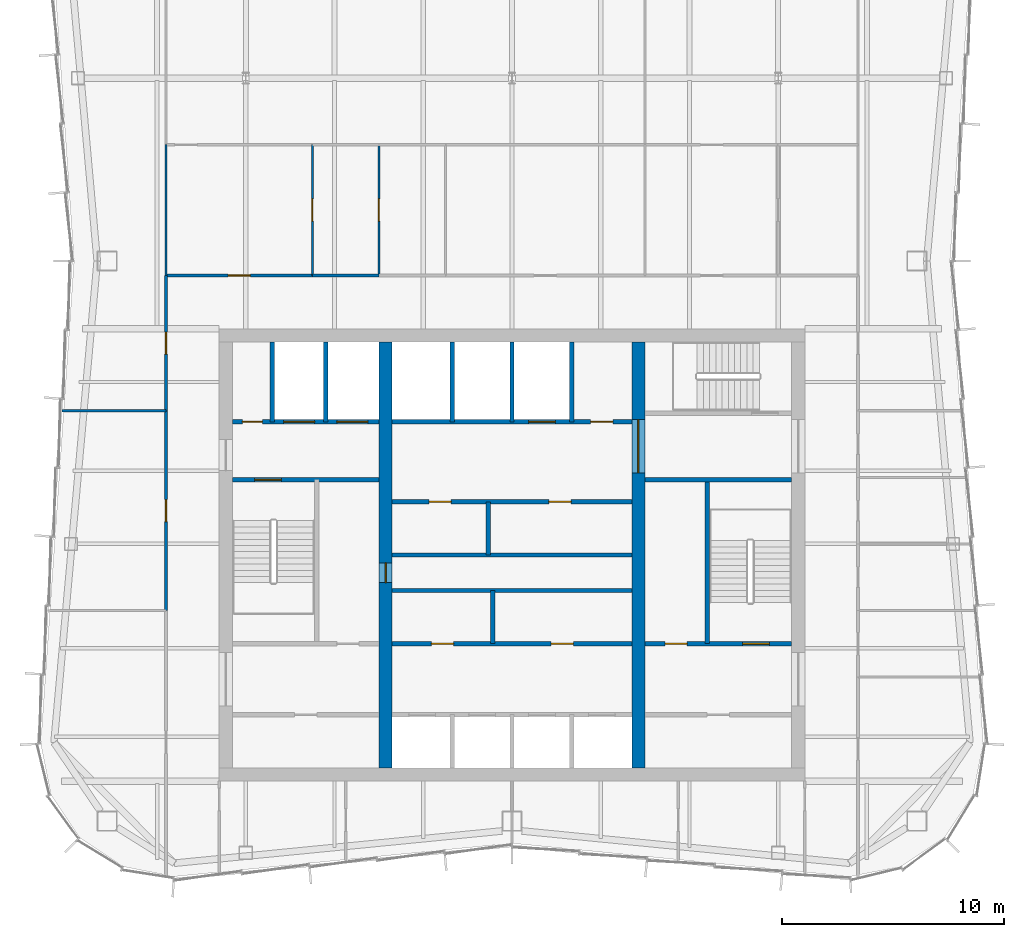
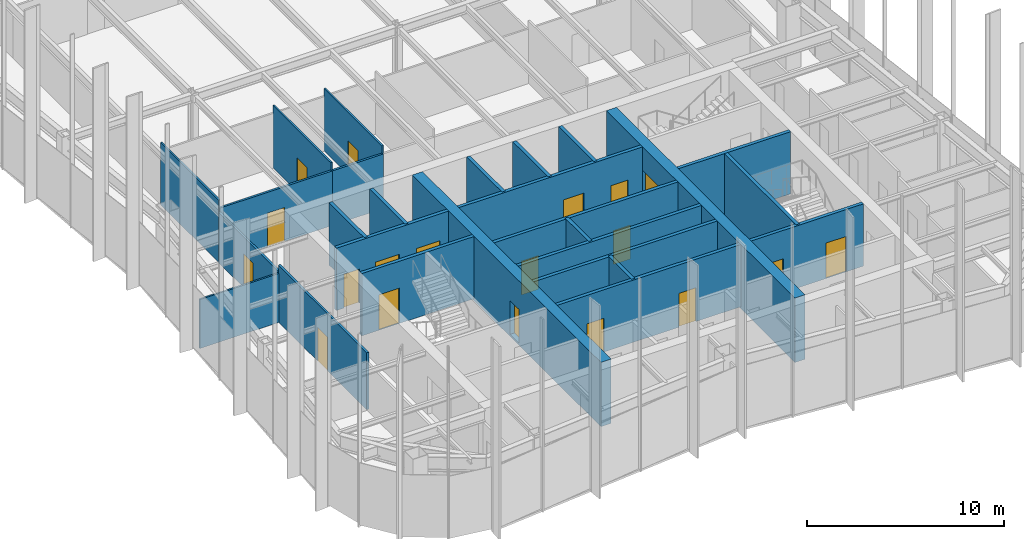
# One storey, part 10 of 13: 27 walls, 19 doors, 19 openings.
"""IFC4 building model written with IfcOpenShell, lengths in metres."""

from ifc_helpers import new_model, si_unit, direction, frame, frame_2d, origin, place, context, subcontext, project, spatial, rectangle, extrude, material, layer, layer_set, type_object, element, fill, save


model = new_model("IFC4")

# Units and contexts
model_context = context("Model", 3, precision=1e-05, world=origin(), true_north=direction((0.0, 1.0)))
body_context = subcontext(model_context, "Body", "Model", "MODEL_VIEW")
ifc_project = project(units=[si_unit("LENGTHUNIT", "METRE"), si_unit("AREAUNIT", "SQUARE_METRE"), si_unit("VOLUMEUNIT", "CUBIC_METRE"), si_unit("PLANEANGLEUNIT", "RADIAN"), si_unit("MASSUNIT", "GRAM", prefix="KILO")], contexts=[model_context])

# Site, building, storey
site_placement = place(None, origin())
site = spatial("IfcSite", under=ifc_project, at=site_placement, CompositionType="ELEMENT")
building_placement = place(site_placement, origin())
building = spatial("IfcBuilding", under=site, at=building_placement, Name="Verdant Reach Tower", CompositionType="ELEMENT")
storey_placement = place(building_placement, frame((0.0, 0.0, 306.0)))
storey = spatial("IfcBuildingStorey", under=building, at=storey_placement, Name="L70", CompositionType="ELEMENT", Elevation=306.0)

# Wall, openings, doors
ifc_material_1 = material(Name="Gypsum board on steel studs", Category="steel")
ifc_layer_1 = layer(ifc_material_1, 0.199951171875)
ifc_layer_set_1 = layer_set([ifc_layer_1], Name="CO-WALL-ROOM")
wall_type_1 = type_object("IfcWallType", Name="CO-WALL-ROOM", PredefinedType="PARTITIONING", material=ifc_layer_set_1)
wall_1_placement = place(storey_placement, frame((-5.39990234375, 24.0, 0.0), z_axis=(0.0, 0.0, 1.0), x_axis=(1.0, 0.0, 0.0)))
wall_1 = element("IfcWall", 1, at=wall_1_placement, inside=storey, type_object=wall_type_1, Name="Core partition, L70", PredefinedType="PARTITIONING", context=body_context, shape_type="SweptSolid", body=[
    extrude(rectangle(XDim=10.7998046875, YDim=0.199951171875, at=frame_2d((5.39990234375, 0.0))), origin(), (0.0, 0.0, 1.0), 3.8701171875),
])
opening_1_placement = place(wall_1_placement, frame((1.76806640625, 0.0, 0.0)))
opening_1 = element("IfcOpeningElement", 2, at=opening_1_placement, cuts=wall_1, Name="Opening CD", PredefinedType="OPENING", context=body_context, shape_type="SweptSolid", body=[
    extrude(rectangle(XDim=1.0, YDim=2.10009765625, at=frame_2d((0.5, 1.050048828125))), frame((0.0, 0.10986328125, 0.0), z_axis=(0.0, -1.0, 0.0), x_axis=(1.0, 0.0, 0.0)), (0.0, 0.0, 1.0), 0.219970703125),
])
opening_2_placement = place(wall_1_placement, frame((7.16796875, 0.0, 0.0)))
opening_2 = element("IfcOpeningElement", 3, at=opening_2_placement, cuts=wall_1, Name="Opening CD", PredefinedType="OPENING", context=body_context, shape_type="SweptSolid", body=[
    extrude(rectangle(XDim=1.0, YDim=2.10009765625, at=frame_2d((0.5, 1.050048828125))), frame((0.0, 0.10986328125, 0.0), z_axis=(0.0, -1.0, 0.0), x_axis=(1.0, 0.0, 0.0)), (0.0, 0.0, 1.0), 0.219970703125),
])
ifc_material_2 = material(Name="Timber", Category="wood")
door_type_1 = type_object("IfcDoorType", Name="CO-DOOR-ROOM", OperationType="NOTDEFINED", PredefinedType="DOOR", material=ifc_material_2)
door_1_placement = place(opening_1_placement, origin())
door_1 = element("IfcDoor", 4, at=door_1_placement, inside=storey, type_object=door_type_1, Name="Core room door, L70", OperationType="SINGLE_SWING_LEFT", OverallHeight=2.10009765625, OverallWidth=1.0, PredefinedType="DOOR", context=body_context, shape_type="SweptSolid", body=[
    extrude(rectangle(XDim=1.0, YDim=2.10009765625, at=frame_2d((0.5, 1.050048828125))), frame((0.0, 0.02490234375, 0.0), z_axis=(0.0, -1.0, 0.0), x_axis=(1.0, 0.0, 0.0)), (0.0, 0.0, 1.0), 0.050048828125),
])
fill(opening_1, door_1)
door_2_placement = place(opening_2_placement, origin())
door_2 = element("IfcDoor", 5, at=door_2_placement, inside=storey, type_object=door_type_1, Name="Core room door, L70", OperationType="SINGLE_SWING_RIGHT", OverallHeight=2.10009765625, OverallWidth=1.0, PredefinedType="DOOR", context=body_context, shape_type="SweptSolid", body=[
    extrude(rectangle(XDim=1.0, YDim=2.10009765625, at=frame_2d((0.5, 1.050048828125))), frame((0.0, 0.02490234375, 0.0), z_axis=(0.0, -1.0, 0.0), x_axis=(1.0, 0.0, 0.0)), (0.0, 0.0, 1.0), 0.050048828125),
])
fill(opening_2, door_2)

# Walls
for number, where, z_axis, x_axis, name in (
    (6, (-5.39990234375, 26.39990234375, 0.0), (0.0, 0.0, 1.0), (1.0, 0.0, 0.0), "Core partition, L70"),
    (7, (-5.39990234375, 28.0, 0.0), (0.0, 0.0, 1.0), (1.0, 0.0, 0.0), "Core partition, L70"),
):
    element("IfcWall", number, at=place(storey_placement, frame(where, z_axis=z_axis, x_axis=x_axis)), inside=storey, type_object=wall_type_1, Name=name, PredefinedType="PARTITIONING", context=body_context, shape_type="SweptSolid", body=[
        extrude(rectangle(XDim=10.7998046875, YDim=0.199951171875, at=frame_2d((5.39990234375, 0.0))), origin(), (0.0, 0.0, 1.0), 3.8701171875),
    ])

# Wall, openings, doors
wall_2_placement = place(storey_placement, frame((-5.39990234375, 30.39990234375, 0.0), z_axis=(0.0, 0.0, 1.0), x_axis=(1.0, 0.0, 0.0)))
wall_2 = element("IfcWall", 8, at=wall_2_placement, inside=storey, type_object=wall_type_1, Name="Core partition, L70", PredefinedType="PARTITIONING", context=body_context, shape_type="SweptSolid", body=[
    extrude(rectangle(XDim=10.7998046875, YDim=0.199951171875, at=frame_2d((5.39990234375, 0.0))), origin(), (0.0, 0.0, 1.0), 3.8701171875),
])
opening_3_placement = place(wall_2_placement, frame((1.659912109375, 0.0, 0.0)))
opening_3 = element("IfcOpeningElement", 9, at=opening_3_placement, cuts=wall_2, Name="Opening CD", PredefinedType="OPENING", context=body_context, shape_type="SweptSolid", body=[
    extrude(rectangle(XDim=1.0, YDim=2.10009765625, at=frame_2d((0.5, 1.050048828125))), frame((0.0, 0.10986328125, 0.0), z_axis=(0.0, -1.0, 0.0), x_axis=(1.0, 0.0, 0.0)), (0.0, 0.0, 1.0), 0.219970703125),
])
opening_4_placement = place(wall_2_placement, frame((7.06005859375, 0.0, 0.0)))
opening_4 = element("IfcOpeningElement", 10, at=opening_4_placement, cuts=wall_2, Name="Opening CD", PredefinedType="OPENING", context=body_context, shape_type="SweptSolid", body=[
    extrude(rectangle(XDim=1.0, YDim=2.10009765625, at=frame_2d((0.5, 1.050048828125))), frame((0.0, 0.10986328125, 0.0), z_axis=(0.0, -1.0, 0.0), x_axis=(1.0, 0.0, 0.0)), (0.0, 0.0, 1.0), 0.219970703125),
])
door_3_placement = place(opening_3_placement, origin())
door_3 = element("IfcDoor", 11, at=door_3_placement, inside=storey, type_object=door_type_1, Name="Core room door, L70", OperationType="SINGLE_SWING_RIGHT", OverallHeight=2.10009765625, OverallWidth=1.0, PredefinedType="DOOR", context=body_context, shape_type="SweptSolid", body=[
    extrude(rectangle(XDim=1.0, YDim=2.10009765625, at=frame_2d((0.5, 1.050048828125))), frame((0.0, 0.02490234375, 0.0), z_axis=(0.0, -1.0, 0.0), x_axis=(1.0, 0.0, 0.0)), (0.0, 0.0, 1.0), 0.050048828125),
])
fill(opening_3, door_3)
door_4_placement = place(opening_4_placement, origin())
door_4 = element("IfcDoor", 12, at=door_4_placement, inside=storey, type_object=door_type_1, Name="Core room door, L70", OperationType="SINGLE_SWING_LEFT", OverallHeight=2.10009765625, OverallWidth=1.0, PredefinedType="DOOR", context=body_context, shape_type="SweptSolid", body=[
    extrude(rectangle(XDim=1.0, YDim=2.10009765625, at=frame_2d((0.5, 1.050048828125))), frame((0.0, 0.02490234375, 0.0), z_axis=(0.0, -1.0, 0.0), x_axis=(1.0, 0.0, 0.0)), (0.0, 0.0, 1.0), 0.050048828125),
])
fill(opening_4, door_4)

# Walls
for number, where, z_axis, x_axis, name in (
    (13, (-1.080078125, 28.0, 0.0), (0.0, 0.0, 1.0), (0.0, 1.0, 0.0), "Core partition, L70"),
    (14, (-0.864013671875, 24.0, 0.0), (0.0, 0.0, 1.0), (0.0, 1.0, 0.0), "Core partition, L70"),
):
    element("IfcWall", number, at=place(storey_placement, frame(where, z_axis=z_axis, x_axis=x_axis)), inside=storey, type_object=wall_type_1, Name=name, PredefinedType="PARTITIONING", context=body_context, shape_type="SweptSolid", body=[
        extrude(rectangle(XDim=2.39990234375, YDim=0.199951171875, at=frame_2d((1.199951171875, 0.0))), origin(), (0.0, 0.0, 1.0), 3.8701171875),
    ])

# Wall, openings, doors
ifc_material_3 = material(Name="Concrete C40/50", Category="concrete")
ifc_layer_2 = layer(ifc_material_3, 0.199951171875)
ifc_layer_set_2 = layer_set([ifc_layer_2], Name="CO-WALL-SHAFT")
wall_type_2 = type_object("IfcWallType", Name="CO-WALL-SHAFT", PredefinedType="PARTITIONING", material=ifc_layer_set_2)
wall_3_placement = place(storey_placement, frame((-12.60009765625, 34.0, 0.0), z_axis=(0.0, 0.0, 1.0), x_axis=(1.0, 0.0, 0.0)))
wall_3 = element("IfcWall", 15, at=wall_3_placement, inside=storey, type_object=wall_type_2, Name="Lift shaft wall, L70", PredefinedType="PARTITIONING", context=body_context, shape_type="SweptSolid", body=[
    extrude(rectangle(XDim=6.60009765625, YDim=0.199951171875, at=frame_2d((3.300048828125, 0.0))), origin(), (0.0, 0.0, 1.0), 3.8701171875),
])
opening_5_placement = place(wall_3_placement, frame((4.699951171875, 0.0, 0.0)))
opening_5 = element("IfcOpeningElement", 16, at=opening_5_placement, cuts=wall_3, Name="Opening LD-F1", PredefinedType="OPENING", context=body_context, shape_type="SweptSolid", body=[
    extrude(rectangle(XDim=1.39990234375, YDim=2.199951171875, at=frame_2d((0.699951171875, 1.10009765625))), frame((0.0, 0.10986328125, 0.0), z_axis=(0.0, -1.0, 0.0), x_axis=(1.0, 0.0, 0.0)), (0.0, 0.0, 1.0), 0.219970703125),
])
opening_6_placement = place(wall_3_placement, frame((2.300048828125, 0.0, 0.0)))
opening_6 = element("IfcOpeningElement", 17, at=opening_6_placement, cuts=wall_3, Name="Opening LD-F2", PredefinedType="OPENING", context=body_context, shape_type="SweptSolid", body=[
    extrude(rectangle(XDim=1.39990234375, YDim=2.199951171875, at=frame_2d((0.699951171875, 1.10009765625))), frame((0.0, 0.10986328125, 0.0), z_axis=(0.0, -1.0, 0.0), x_axis=(1.0, 0.0, 0.0)), (0.0, 0.0, 1.0), 0.219970703125),
])
opening_7_placement = place(wall_3_placement, frame((0.449951171875, 0.0, 0.0)))
opening_7 = element("IfcOpeningElement", 18, at=opening_7_placement, cuts=wall_3, Name="Opening RD", PredefinedType="OPENING", context=body_context, shape_type="SweptSolid", body=[
    extrude(rectangle(XDim=0.89990234375, YDim=2.10009765625, at=frame_2d((0.449951171875, 1.050048828125))), frame((0.0, 0.10986328125, 0.0), z_axis=(0.0, -1.0, 0.0), x_axis=(1.0, 0.0, 0.0)), (0.0, 0.0, 1.0), 0.219970703125),
])
ifc_material_4 = material(Name="Stainless steel", Category="steel")
door_type_2 = type_object("IfcDoorType", Name="CO-DOOR-LANDING-FF", OperationType="SLIDING_TO_LEFT", PredefinedType="DOOR", material=ifc_material_4)
door_5_placement = place(opening_5_placement, origin())
door_5 = element("IfcDoor", 19, at=door_5_placement, inside=storey, type_object=door_type_2, Name="Landing door F1, L70", OperationType="SLIDING_TO_LEFT", OverallHeight=2.199951171875, OverallWidth=1.39990234375, PredefinedType="DOOR", context=body_context, shape_type="SweptSolid", body=[
    extrude(rectangle(XDim=1.39990234375, YDim=2.199951171875, at=frame_2d((0.699951171875, 1.10009765625))), frame((0.0, 0.02490234375, 0.0), z_axis=(0.0, -1.0, 0.0), x_axis=(1.0, 0.0, 0.0)), (0.0, 0.0, 1.0), 0.050048828125),
])
fill(opening_5, door_5)
door_6_placement = place(opening_6_placement, origin())
door_6 = element("IfcDoor", 20, at=door_6_placement, inside=storey, type_object=door_type_2, Name="Landing door F2, L70", OperationType="SLIDING_TO_LEFT", OverallHeight=2.199951171875, OverallWidth=1.39990234375, PredefinedType="DOOR", context=body_context, shape_type="SweptSolid", body=[
    extrude(rectangle(XDim=1.39990234375, YDim=2.199951171875, at=frame_2d((0.699951171875, 1.10009765625))), frame((0.0, 0.02490234375, 0.0), z_axis=(0.0, -1.0, 0.0), x_axis=(1.0, 0.0, 0.0)), (0.0, 0.0, 1.0), 0.050048828125),
])
fill(opening_6, door_6)
ifc_material_5 = material(Name="Steel", Category="steel")
door_type_3 = type_object("IfcDoorType", Name="CO-DOOR-RISER", OperationType="NOTDEFINED", PredefinedType="DOOR", material=ifc_material_5)
door_7_placement = place(opening_7_placement, origin())
door_7 = element("IfcDoor", 21, at=door_7_placement, inside=storey, type_object=door_type_3, Name="Core room door, L70", OperationType="SINGLE_SWING_RIGHT", OverallHeight=2.10009765625, OverallWidth=0.89990234375, PredefinedType="DOOR", context=body_context, shape_type="SweptSolid", body=[
    extrude(rectangle(XDim=0.89990234375, YDim=2.10009765625, at=frame_2d((0.449951171875, 1.050048828125))), frame((0.0, 0.02490234375, 0.0), z_axis=(0.0, -1.0, 0.0), x_axis=(1.0, 0.0, 0.0)), (0.0, 0.0, 1.0), 0.050048828125),
])
fill(opening_7, door_7)

wall_4_placement = place(storey_placement, frame((-5.39990234375, 34.0, 0.0), z_axis=(0.0, 0.0, 1.0), x_axis=(1.0, 0.0, 0.0)))
wall_4 = element("IfcWall", 22, at=wall_4_placement, inside=storey, type_object=wall_type_2, Name="Lift shaft wall, L70", PredefinedType="PARTITIONING", context=body_context, shape_type="SweptSolid", body=[
    extrude(rectangle(XDim=10.7998046875, YDim=0.199951171875, at=frame_2d((5.39990234375, 0.0))), origin(), (0.0, 0.0, 1.0), 3.8701171875),
])
opening_8_placement = place(wall_4_placement, frame((6.14990234375, 0.0, 0.0)))
opening_8 = element("IfcOpeningElement", 23, at=opening_8_placement, cuts=wall_4, Name="Opening LD-SL1", PredefinedType="OPENING", context=body_context, shape_type="SweptSolid", body=[
    extrude(rectangle(XDim=1.199951171875, YDim=2.199951171875, at=frame_2d((0.60009765625, 1.10009765625))), frame((0.0, 0.10986328125, 0.0), z_axis=(0.0, -1.0, 0.0), x_axis=(1.0, 0.0, 0.0)), (0.0, 0.0, 1.0), 0.219970703125),
])
opening_9_placement = place(wall_4_placement, frame((8.949951171875, 0.0, 0.0)))
opening_9 = element("IfcOpeningElement", 24, at=opening_9_placement, cuts=wall_4, Name="Opening CD", PredefinedType="OPENING", context=body_context, shape_type="SweptSolid", body=[
    extrude(rectangle(XDim=1.0, YDim=2.10009765625, at=frame_2d((0.5, 1.050048828125))), frame((0.0, 0.10986328125, 0.0), z_axis=(0.0, -1.0, 0.0), x_axis=(1.0, 0.0, 0.0)), (0.0, 0.0, 1.0), 0.219970703125),
])
door_type_4 = type_object("IfcDoorType", Name="CO-DOOR-LANDING", OperationType="SLIDING_TO_LEFT", PredefinedType="DOOR", material=ifc_material_4)
door_8_placement = place(opening_8_placement, origin())
door_8 = element("IfcDoor", 25, at=door_8_placement, inside=storey, type_object=door_type_4, Name="Landing door SL1, L70", OperationType="SLIDING_TO_LEFT", OverallHeight=2.199951171875, OverallWidth=1.199951171875, PredefinedType="DOOR", context=body_context, shape_type="SweptSolid", body=[
    extrude(rectangle(XDim=1.199951171875, YDim=2.199951171875, at=frame_2d((0.60009765625, 1.10009765625))), frame((0.0, 0.02490234375, 0.0), z_axis=(0.0, -1.0, 0.0), x_axis=(1.0, 0.0, 0.0)), (0.0, 0.0, 1.0), 0.050048828125),
])
fill(opening_8, door_8)
door_9_placement = place(opening_9_placement, origin())
door_9 = element("IfcDoor", 26, at=door_9_placement, inside=storey, type_object=door_type_1, Name="Core room door, L70", OperationType="SINGLE_SWING_LEFT", OverallHeight=2.10009765625, OverallWidth=1.0, PredefinedType="DOOR", context=body_context, shape_type="SweptSolid", body=[
    extrude(rectangle(XDim=1.0, YDim=2.10009765625, at=frame_2d((0.5, 1.050048828125))), frame((0.0, 0.02490234375, 0.0), z_axis=(0.0, -1.0, 0.0), x_axis=(1.0, 0.0, 0.0)), (0.0, 0.0, 1.0), 0.050048828125),
])
fill(opening_9, door_9)

# Walls
for number, where, z_axis, x_axis, name in (
    (27, (-10.800048828125, 34.0, 0.0), (0.0, 0.0, 1.0), (0.0, 1.0, 0.0), "Lift shaft wall, L70"),
    (28, (-8.39990234375, 34.0, 0.0), (0.0, 0.0, 1.0), (0.0, 1.0, 0.0), "Lift shaft wall, L70"),
    (29, (-2.699951171875, 34.0, 0.0), (0.0, 0.0, 1.0), (0.0, 1.0, 0.0), "Lift shaft wall, L70"),
    (30, (0.0, 34.0, 0.0), (0.0, 0.0, 1.0), (0.0, 1.0, 0.0), "Lift shaft wall, L70"),
    (31, (2.699951171875, 34.0, 0.0), (0.0, 0.0, 1.0), (0.0, 1.0, 0.0), "Lift shaft wall, L70"),
):
    element("IfcWall", number, at=place(storey_placement, frame(where, z_axis=z_axis, x_axis=x_axis)), inside=storey, type_object=wall_type_2, Name=name, PredefinedType="PARTITIONING", context=body_context, shape_type="SweptSolid", body=[
        extrude(rectangle(XDim=3.60009765625, YDim=0.199951171875, at=frame_2d((1.800048828125, 0.0))), origin(), (0.0, 0.0, 1.0), 3.8701171875),
    ])

# Wall, openings, doors
ifc_layer_3 = layer(ifc_material_3, 0.199951171875)
ifc_layer_set_3 = layer_set([ifc_layer_3], Name="CO-WALL-STAIR")
wall_type_3 = type_object("IfcWallType", Name="CO-WALL-STAIR", PredefinedType="PARTITIONING", material=ifc_layer_set_3)
wall_5_placement = place(storey_placement, frame((6.0, 24.0, 0.0), z_axis=(0.0, 0.0, 1.0), x_axis=(1.0, 0.0, 0.0)))
wall_5 = element("IfcWall", 32, at=wall_5_placement, inside=storey, type_object=wall_type_3, Name="Stair enclosure wall, L70", PredefinedType="PARTITIONING", context=body_context, shape_type="SweptSolid", body=[
    extrude(rectangle(XDim=6.60009765625, YDim=0.199951171875, at=frame_2d((3.300048828125, 0.0))), origin(), (0.0, 0.0, 1.0), 3.8701171875),
])
opening_10_placement = place(wall_5_placement, frame((0.89990234375, 0.0, 0.0)))
opening_10 = element("IfcOpeningElement", 33, at=opening_10_placement, cuts=wall_5, Name="Opening CD", PredefinedType="OPENING", context=body_context, shape_type="SweptSolid", body=[
    extrude(rectangle(XDim=1.0, YDim=2.10009765625, at=frame_2d((0.5, 1.050048828125))), frame((0.0, 0.10986328125, 0.0), z_axis=(0.0, -1.0, 0.0), x_axis=(1.0, 0.0, 0.0)), (0.0, 0.0, 1.0), 0.219970703125),
])
opening_11_placement = place(wall_5_placement, frame((4.39990234375, 0.0, 0.0)))
opening_11 = element("IfcOpeningElement", 34, at=opening_11_placement, cuts=wall_5, Name="Opening SD", PredefinedType="OPENING", context=body_context, shape_type="SweptSolid", body=[
    extrude(rectangle(XDim=1.199951171875, YDim=2.199951171875, at=frame_2d((0.60009765625, 1.10009765625))), frame((0.0, 0.10986328125, 0.0), z_axis=(0.0, -1.0, 0.0), x_axis=(1.0, 0.0, 0.0)), (0.0, 0.0, 1.0), 0.219970703125),
])
door_10_placement = place(opening_10_placement, origin())
door_10 = element("IfcDoor", 35, at=door_10_placement, inside=storey, type_object=door_type_1, Name="Core room door, L70", OperationType="SINGLE_SWING_LEFT", OverallHeight=2.10009765625, OverallWidth=1.0, PredefinedType="DOOR", context=body_context, shape_type="SweptSolid", body=[
    extrude(rectangle(XDim=1.0, YDim=2.10009765625, at=frame_2d((0.5, 1.050048828125))), frame((0.0, 0.02490234375, 0.0), z_axis=(0.0, -1.0, 0.0), x_axis=(1.0, 0.0, 0.0)), (0.0, 0.0, 1.0), 0.050048828125),
])
fill(opening_10, door_10)
door_type_5 = type_object("IfcDoorType", Name="CO-DOOR-STAIR", OperationType="NOTDEFINED", PredefinedType="DOOR", material=ifc_material_5)
door_11_placement = place(opening_11_placement, origin())
door_11 = element("IfcDoor", 36, at=door_11_placement, inside=storey, type_object=door_type_5, Name="Stair door, L70", OperationType="SINGLE_SWING_LEFT", OverallHeight=2.199951171875, OverallWidth=1.199951171875, PredefinedType="DOOR", context=body_context, shape_type="SweptSolid", body=[
    extrude(rectangle(XDim=1.199951171875, YDim=2.199951171875, at=frame_2d((0.60009765625, 1.10009765625))), frame((0.0, 0.02490234375, 0.0), z_axis=(0.0, -1.0, 0.0), x_axis=(1.0, 0.0, 0.0)), (0.0, 0.0, 1.0), 0.050048828125),
])
fill(opening_11, door_11)

# Wall, opening, door
wall_6_placement = place(storey_placement, frame((-12.60009765625, 31.39990234375, 0.0), z_axis=(0.0, 0.0, 1.0), x_axis=(1.0, 0.0, 0.0)))
wall_6 = element("IfcWall", 37, at=wall_6_placement, inside=storey, type_object=wall_type_3, Name="Stair enclosure wall, L70", PredefinedType="PARTITIONING", context=body_context, shape_type="SweptSolid", body=[
    extrude(rectangle(XDim=6.60009765625, YDim=0.199951171875, at=frame_2d((3.300048828125, 0.0))), origin(), (0.0, 0.0, 1.0), 3.8701171875),
])
opening_12_placement = place(wall_6_placement, frame((1.0, 0.0, 0.0)))
opening_12 = element("IfcOpeningElement", 38, at=opening_12_placement, cuts=wall_6, Name="Opening SD", PredefinedType="OPENING", context=body_context, shape_type="SweptSolid", body=[
    extrude(rectangle(XDim=1.199951171875, YDim=2.199951171875, at=frame_2d((0.60009765625, 1.10009765625))), frame((0.0, 0.10986328125, 0.0), z_axis=(0.0, -1.0, 0.0), x_axis=(1.0, 0.0, 0.0)), (0.0, 0.0, 1.0), 0.219970703125),
])
door_12_placement = place(opening_12_placement, origin())
door_12 = element("IfcDoor", 39, at=door_12_placement, inside=storey, type_object=door_type_5, Name="Stair door, L70", OperationType="SINGLE_SWING_RIGHT", OverallHeight=2.199951171875, OverallWidth=1.199951171875, PredefinedType="DOOR", context=body_context, shape_type="SweptSolid", body=[
    extrude(rectangle(XDim=1.199951171875, YDim=2.199951171875, at=frame_2d((0.60009765625, 1.10009765625))), frame((0.0, 0.02490234375, 0.0), z_axis=(0.0, -1.0, 0.0), x_axis=(1.0, 0.0, 0.0)), (0.0, 0.0, 1.0), 0.050048828125),
])
fill(opening_12, door_12)

# Walls
wall_7_placement = place(storey_placement, frame((6.0, 31.39990234375, 0.0), z_axis=(0.0, 0.0, 1.0), x_axis=(1.0, 0.0, 0.0)))
element("IfcWall", 40, at=wall_7_placement, inside=storey, type_object=wall_type_3, Name="Stair enclosure wall, L70", PredefinedType="PARTITIONING", context=body_context, shape_type="SweptSolid", body=[
    extrude(rectangle(XDim=6.60009765625, YDim=0.199951171875, at=frame_2d((3.300048828125, 0.0))), origin(), (0.0, 0.0, 1.0), 3.8701171875),
])
wall_8_placement = place(storey_placement, frame((8.800048828125, 24.0, 0.0), z_axis=(0.0, 0.0, 1.0), x_axis=(0.0, 1.0, 0.0)))
element("IfcWall", 41, at=wall_8_placement, inside=storey, type_object=wall_type_3, Name="Stair enclosure wall, L70", PredefinedType="PARTITIONING", context=body_context, shape_type="SweptSolid", body=[
    extrude(rectangle(XDim=7.39990234375, YDim=0.199951171875, at=frame_2d((3.699951171875, 0.0))), origin(), (0.0, 0.0, 1.0), 3.8701171875),
])
ifc_layer_4 = layer(ifc_material_1, 0.10009765625)
ifc_layer_set_4 = layer_set([ifc_layer_4], Name="FL-W1 Partition 100")
wall_type_4 = type_object("IfcWallType", Name="FL-W1 Partition 100", PredefinedType="PARTITIONING", material=ifc_layer_set_4)
wall_9_placement = place(storey_placement, frame((-15.60009765625, 34.5, 0.0), z_axis=(0.0, 0.0, 1.0), x_axis=(-1.0, 0.0, 0.0)))
element("IfcWall", 42, at=wall_9_placement, inside=storey, type_object=wall_type_4, Name="Partition 70.19", PredefinedType="PARTITIONING", context=body_context, shape_type="SweptSolid", body=[
    extrude(rectangle(XDim=4.6953125, YDim=0.10009765625, at=frame_2d((2.34765625, 0.0))), origin(), (0.0, 0.0, 1.0), 3.0400390625),
])
wall_10_placement = place(storey_placement, frame((-15.60009765625, 40.60009765625, 0.0), z_axis=(0.0, 0.0, 1.0), x_axis=(0.0, 1.0, 0.0)))
element("IfcWall", 43, at=wall_10_placement, inside=storey, type_object=wall_type_4, Name="Partition 70.20", PredefinedType="PARTITIONING", context=body_context, shape_type="SweptSolid", body=[
    extrude(rectangle(XDim=5.89990234375, YDim=0.10009765625, at=frame_2d((2.949951171875, 0.0))), origin(), (0.0, 0.0, 1.0), 3.8701171875),
])

# Wall, opening, door
wall_11_placement = place(storey_placement, frame((-9.0, 46.5, 0.0), z_axis=(0.0, 0.0, 1.0), x_axis=(0.0, -1.0, 0.0)))
wall_11 = element("IfcWall", 44, at=wall_11_placement, inside=storey, type_object=wall_type_4, Name="Partition 70.34", PredefinedType="PARTITIONING", context=body_context, shape_type="SweptSolid", body=[
    extrude(rectangle(XDim=5.89990234375, YDim=0.10009765625, at=frame_2d((2.949951171875, 0.0))), origin(), (0.0, 0.0, 1.0), 3.8701171875),
])
opening_13_placement = place(wall_11_placement, frame((2.449951171875, 0.0, 0.0)))
opening_13 = element("IfcOpeningElement", 45, at=opening_13_placement, cuts=wall_11, Name="Opening D3", PredefinedType="OPENING", context=body_context, shape_type="SweptSolid", body=[
    extrude(rectangle(XDim=1.0, YDim=2.10009765625, at=frame_2d((0.5, 1.050048828125))), frame((0.0, 0.06005859375, 0.0), z_axis=(0.0, -1.0, 0.0), x_axis=(1.0, 0.0, 0.0)), (0.0, 0.0, 1.0), 0.1201171875),
])
ifc_material_6 = material(Name="Painted timber door leaf", Category="wood")
door_type_6 = type_object("IfcDoorType", Name="FL-D3 Door 1000x2100", OperationType="NOTDEFINED", PredefinedType="DOOR", material=ifc_material_6)
door_13_placement = place(opening_13_placement, origin())
door_13 = element("IfcDoor", 46, at=door_13_placement, inside=storey, type_object=door_type_6, Name="Door 70-017", OperationType="SINGLE_SWING_LEFT", OverallHeight=2.10009765625, OverallWidth=1.0, PredefinedType="DOOR", context=body_context, shape_type="SweptSolid", body=[
    extrude(rectangle(XDim=1.0, YDim=2.10009765625, at=frame_2d((0.5, 1.050048828125))), frame((0.0, 0.02490234375, 0.0), z_axis=(0.0, -1.0, 0.0), x_axis=(1.0, 0.0, 0.0)), (0.0, 0.0, 1.0), 0.050048828125),
])
fill(opening_13, door_13)

wall_12_placement = place(storey_placement, frame((-6.0, 46.5, 0.0), z_axis=(0.0, 0.0, 1.0), x_axis=(0.0, -1.0, 0.0)))
wall_12 = element("IfcWall", 47, at=wall_12_placement, inside=storey, type_object=wall_type_4, Name="Partition 70.36", PredefinedType="PARTITIONING", context=body_context, shape_type="SweptSolid", body=[
    extrude(rectangle(XDim=5.89990234375, YDim=0.10009765625, at=frame_2d((2.949951171875, 0.0))), origin(), (0.0, 0.0, 1.0), 3.8701171875),
])
opening_14_placement = place(wall_12_placement, frame((2.449951171875, 0.0, 0.0)))
opening_14 = element("IfcOpeningElement", 48, at=opening_14_placement, cuts=wall_12, Name="Opening D3", PredefinedType="OPENING", context=body_context, shape_type="SweptSolid", body=[
    extrude(rectangle(XDim=1.0, YDim=2.10009765625, at=frame_2d((0.5, 1.050048828125))), frame((0.0, 0.06005859375, 0.0), z_axis=(0.0, -1.0, 0.0), x_axis=(1.0, 0.0, 0.0)), (0.0, 0.0, 1.0), 0.1201171875),
])
door_14_placement = place(opening_14_placement, origin())
door_14 = element("IfcDoor", 49, at=door_14_placement, inside=storey, type_object=door_type_6, Name="Door 70-019", OperationType="SINGLE_SWING_LEFT", OverallHeight=2.10009765625, OverallWidth=1.0, PredefinedType="DOOR", context=body_context, shape_type="SweptSolid", body=[
    extrude(rectangle(XDim=1.0, YDim=2.10009765625, at=frame_2d((0.5, 1.050048828125))), frame((0.0, 0.02490234375, 0.0), z_axis=(0.0, -1.0, 0.0), x_axis=(1.0, 0.0, 0.0)), (0.0, 0.0, 1.0), 0.050048828125),
])
fill(opening_14, door_14)

ifc_material_7 = material(Name="Gypsum board on steel studs, fire rated", Category="steel")
ifc_layer_5 = layer(ifc_material_7, 0.125)
ifc_layer_set_5 = layer_set([ifc_layer_5], Name="FL-W2 Corridor wall 125")
wall_type_5 = type_object("IfcWallType", Name="FL-W2 Corridor wall 125", PredefinedType="PARTITIONING", material=ifc_layer_set_5)
wall_13_placement = place(storey_placement, frame((-15.60009765625, 25.5, 0.0), z_axis=(0.0, 0.0, 1.0), x_axis=(0.0, 1.0, 0.0)))
wall_13 = element("IfcWall", 50, at=wall_13_placement, inside=storey, type_object=wall_type_5, Name="Partition 70.02", PredefinedType="PARTITIONING", context=body_context, shape_type="SweptSolid", body=[
    extrude(rectangle(XDim=9.0, YDim=0.125, at=frame_2d((4.5, 0.0))), origin(), (0.0, 0.0, 1.0), 3.5400390625),
])
opening_15_placement = place(wall_13_placement, frame((4.0, 0.0, 0.0)))
opening_15 = element("IfcOpeningElement", 51, at=opening_15_placement, cuts=wall_13, Name="Opening D2", PredefinedType="OPENING", context=body_context, shape_type="SweptSolid", body=[
    extrude(rectangle(XDim=1.0, YDim=2.10009765625, at=frame_2d((0.5, 1.050048828125))), frame((0.0, 0.072509765625, 0.0), z_axis=(0.0, -1.0, 0.0), x_axis=(1.0, 0.0, 0.0)), (0.0, 0.0, 1.0), 0.14501953125),
])
ifc_material_8 = material(Name="Timber door leaf, fire rated", Category="wood")
door_type_7 = type_object("IfcDoorType", Name="FL-D2 Entrance door 1000x2100 FD30", OperationType="NOTDEFINED", PredefinedType="DOOR", material=ifc_material_8)
door_15_placement = place(opening_15_placement, origin())
door_15 = element("IfcDoor", 52, at=door_15_placement, inside=storey, type_object=door_type_7, Name="Door 70-002", OperationType="SINGLE_SWING_RIGHT", OverallHeight=2.10009765625, OverallWidth=1.0, PredefinedType="DOOR", context=body_context, shape_type="SweptSolid", body=[
    extrude(rectangle(XDim=1.0, YDim=2.10009765625, at=frame_2d((0.5, 1.050048828125))), frame((0.0, 0.02490234375, 0.0), z_axis=(0.0, -1.0, 0.0), x_axis=(1.0, 0.0, 0.0)), (0.0, 0.0, 1.0), 0.050048828125),
])
fill(opening_15, door_15)

wall_14_placement = place(storey_placement, frame((-15.60009765625, 34.5, 0.0), z_axis=(0.0, 0.0, 1.0), x_axis=(0.0, 1.0, 0.0)))
wall_14 = element("IfcWall", 53, at=wall_14_placement, inside=storey, type_object=wall_type_5, Name="Partition 70.03", PredefinedType="PARTITIONING", context=body_context, shape_type="SweptSolid", body=[
    extrude(rectangle(XDim=6.10400390625, YDim=0.125, at=frame_2d((3.052001953125, 0.0))), origin(), (0.0, 0.0, 1.0), 3.139892578125),
])
opening_16_placement = place(wall_14_placement, frame((2.552001953125, 0.0, 0.0)))
opening_16 = element("IfcOpeningElement", 54, at=opening_16_placement, cuts=wall_14, Name="Opening D2", PredefinedType="OPENING", context=body_context, shape_type="SweptSolid", body=[
    extrude(rectangle(XDim=1.0, YDim=2.10009765625, at=frame_2d((0.5, 1.050048828125))), frame((0.0, 0.072509765625, 0.0), z_axis=(0.0, -1.0, 0.0), x_axis=(1.0, 0.0, 0.0)), (0.0, 0.0, 1.0), 0.14501953125),
])
door_16_placement = place(opening_16_placement, origin())
door_16 = element("IfcDoor", 55, at=door_16_placement, inside=storey, type_object=door_type_7, Name="Door 70-003", OperationType="SINGLE_SWING_LEFT", OverallHeight=2.10009765625, OverallWidth=1.0, PredefinedType="DOOR", context=body_context, shape_type="SweptSolid", body=[
    extrude(rectangle(XDim=1.0, YDim=2.10009765625, at=frame_2d((0.5, 1.050048828125))), frame((0.0, 0.02490234375, 0.0), z_axis=(0.0, -1.0, 0.0), x_axis=(1.0, 0.0, 0.0)), (0.0, 0.0, 1.0), 0.050048828125),
])
fill(opening_16, door_16)

wall_15_placement = place(storey_placement, frame((-15.60009765625, 40.60009765625, 0.0), z_axis=(0.0, 0.0, 1.0), x_axis=(1.0, 0.0, 0.0)))
wall_15 = element("IfcWall", 56, at=wall_15_placement, inside=storey, type_object=wall_type_5, Name="Partition 70.12", PredefinedType="PARTITIONING", context=body_context, shape_type="SweptSolid", body=[
    extrude(rectangle(XDim=6.60009765625, YDim=0.125, at=frame_2d((3.300048828125, 0.0))), origin(), (0.0, 0.0, 1.0), 3.389892578125),
])
opening_17_placement = place(wall_15_placement, frame((2.800048828125, 0.0, 0.0)))
opening_17 = element("IfcOpeningElement", 57, at=opening_17_placement, cuts=wall_15, Name="Opening D2", PredefinedType="OPENING", context=body_context, shape_type="SweptSolid", body=[
    extrude(rectangle(XDim=1.0, YDim=2.10009765625, at=frame_2d((0.5, 1.050048828125))), frame((0.0, 0.072509765625, 0.0), z_axis=(0.0, -1.0, 0.0), x_axis=(1.0, 0.0, 0.0)), (0.0, 0.0, 1.0), 0.14501953125),
])
door_17_placement = place(opening_17_placement, origin())
door_17 = element("IfcDoor", 58, at=door_17_placement, inside=storey, type_object=door_type_7, Name="Door 70-012", OperationType="SINGLE_SWING_RIGHT", OverallHeight=2.10009765625, OverallWidth=1.0, PredefinedType="DOOR", context=body_context, shape_type="SweptSolid", body=[
    extrude(rectangle(XDim=1.0, YDim=2.10009765625, at=frame_2d((0.5, 1.050048828125))), frame((0.0, 0.02490234375, 0.0), z_axis=(0.0, -1.0, 0.0), x_axis=(1.0, 0.0, 0.0)), (0.0, 0.0, 1.0), 0.050048828125),
])
fill(opening_17, door_17)

# Wall
wall_16_placement = place(storey_placement, frame((-6.0, 40.60009765625, 0.0), z_axis=(0.0, 0.0, 1.0), x_axis=(-1.0, 0.0, 0.0)))
element("IfcWall", 59, at=wall_16_placement, inside=storey, type_object=wall_type_5, Name="Partition 70.13", PredefinedType="PARTITIONING", context=body_context, shape_type="SweptSolid", body=[
    extrude(rectangle(XDim=3.0, YDim=0.125, at=frame_2d((1.5, 0.0))), origin(), (0.0, 0.0, 1.0), 3.389892578125),
])

# Wall, opening, door
ifc_material_9 = material(Name="Concrete C70/85", Category="concrete")
ifc_layer_6 = layer(ifc_material_9, 0.60009765625)
ifc_layer_set_6 = layer_set([ifc_layer_6], Name="ST-CORE-WALL-600")
wall_type_6 = type_object("IfcWallType", Name="ST-CORE-WALL-600", PredefinedType="SHEAR", material=ifc_layer_set_6)
wall_17_placement = place(storey_placement, frame((-5.699951171875, 18.39990234375, -0.1298828125), z_axis=(0.0, 0.0, 1.0), x_axis=(0.0, 1.0, 0.0)))
wall_17 = element("IfcWall", 60, at=wall_17_placement, inside=storey, type_object=wall_type_6, Name="Core wall XW, L70", PredefinedType="SHEAR", context=body_context, shape_type="SweptSolid", body=[
    extrude(rectangle(XDim=19.2001953125, YDim=0.60009765625, at=frame_2d((9.60009765625, 0.0))), origin(), (0.0, 0.0, 1.0), 4.0),
])
opening_18_placement = place(wall_17_placement, frame((8.35009765625, 0.0, 0.1298828125)))
opening_18 = element("IfcOpeningElement", 61, at=opening_18_placement, cuts=wall_17, Name="Opening RD", PredefinedType="OPENING", context=body_context, shape_type="SweptSolid", body=[
    extrude(rectangle(XDim=0.89990234375, YDim=2.10009765625, at=frame_2d((0.449951171875, 1.050048828125))), frame((0.0, 0.31005859375, 0.0), z_axis=(0.0, -1.0, 0.0), x_axis=(1.0, 0.0, 0.0)), (0.0, 0.0, 1.0), 0.6201171875),
])
door_18_placement = place(opening_18_placement, origin())
door_18 = element("IfcDoor", 62, at=door_18_placement, inside=storey, type_object=door_type_3, Name="Riser door, L70", OperationType="SINGLE_SWING_RIGHT", OverallHeight=2.10009765625, OverallWidth=0.89990234375, PredefinedType="DOOR", context=body_context, shape_type="SweptSolid", body=[
    extrude(rectangle(XDim=0.89990234375, YDim=2.10009765625, at=frame_2d((0.449951171875, 1.050048828125))), frame((0.0, 0.02490234375, 0.0), z_axis=(0.0, -1.0, 0.0), x_axis=(1.0, 0.0, 0.0)), (0.0, 0.0, 1.0), 0.050048828125),
])
fill(opening_18, door_18)

wall_18_placement = place(storey_placement, frame((5.699951171875, 18.39990234375, -0.1298828125), z_axis=(0.0, 0.0, 1.0), x_axis=(0.0, 1.0, 0.0)))
wall_18 = element("IfcWall", 63, at=wall_18_placement, inside=storey, type_object=wall_type_6, Name="Core wall XE, L70", PredefinedType="SHEAR", context=body_context, shape_type="SweptSolid", body=[
    extrude(rectangle(XDim=19.2001953125, YDim=0.60009765625, at=frame_2d((9.60009765625, 0.0))), origin(), (0.0, 0.0, 1.0), 4.0),
])
opening_19_placement = place(wall_18_placement, frame((13.300048828125, 0.0, 0.1298828125)))
opening_19 = element("IfcOpeningElement", 64, at=opening_19_placement, cuts=wall_18, Name="Opening LB", PredefinedType="OPENING", context=body_context, shape_type="SweptSolid", body=[
    extrude(rectangle(XDim=2.39990234375, YDim=2.39990234375, at=frame_2d((1.199951171875, 1.199951171875))), frame((0.0, 0.31005859375, 0.0), z_axis=(0.0, -1.0, 0.0), x_axis=(1.0, 0.0, 0.0)), (0.0, 0.0, 1.0), 0.6201171875),
])
ifc_material_10 = material(Name="Glass and steel", Category="steel")
door_type_8 = type_object("IfcDoorType", Name="CO-DOOR-LOBBY", OperationType="DOUBLE_DOOR_SINGLE_SWING", PredefinedType="DOOR", material=ifc_material_10)
door_19_placement = place(opening_19_placement, origin())
door_19 = element("IfcDoor", 65, at=door_19_placement, inside=storey, type_object=door_type_8, Name="Core entrance door, L70", OperationType="DOUBLE_DOOR_SINGLE_SWING", OverallHeight=2.39990234375, OverallWidth=2.39990234375, PredefinedType="DOOR", context=body_context, shape_type="SweptSolid", body=[
    extrude(rectangle(XDim=2.39990234375, YDim=2.39990234375, at=frame_2d((1.199951171875, 1.199951171875))), frame((0.0, 0.02490234375, 0.0), z_axis=(0.0, -1.0, 0.0), x_axis=(1.0, 0.0, 0.0)), (0.0, 0.0, 1.0), 0.050048828125),
])
fill(opening_19, door_19)

save(model, "model.ifc")
